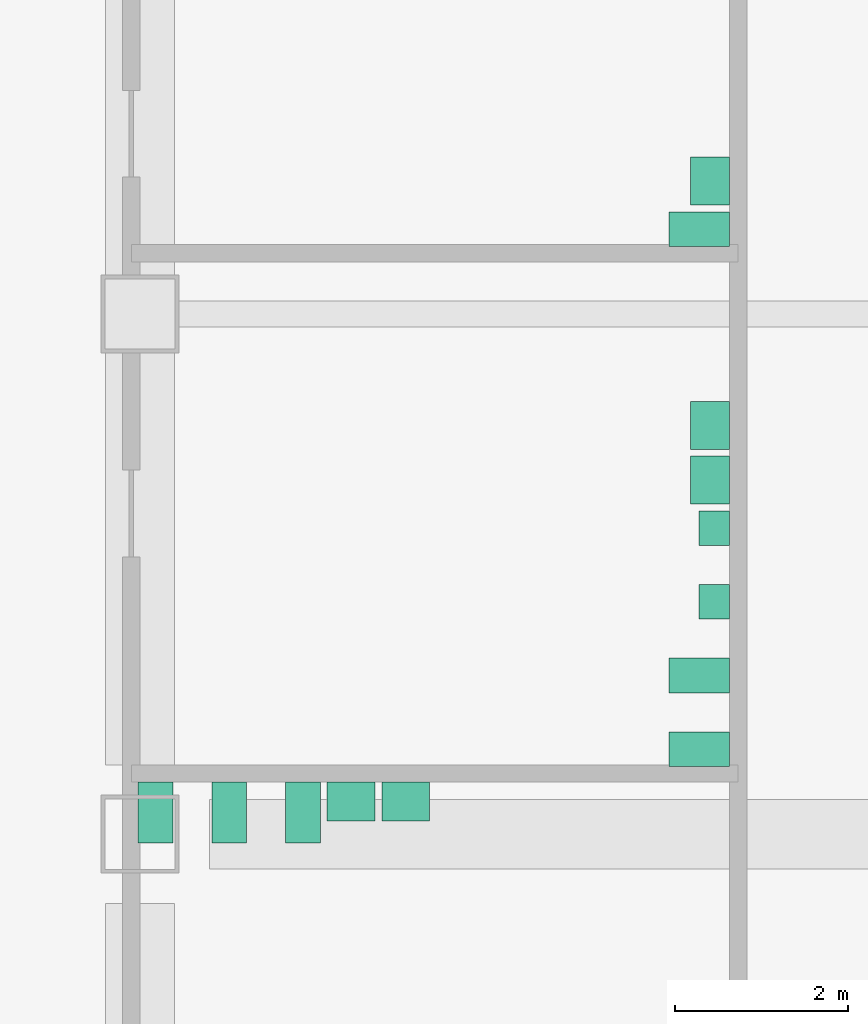
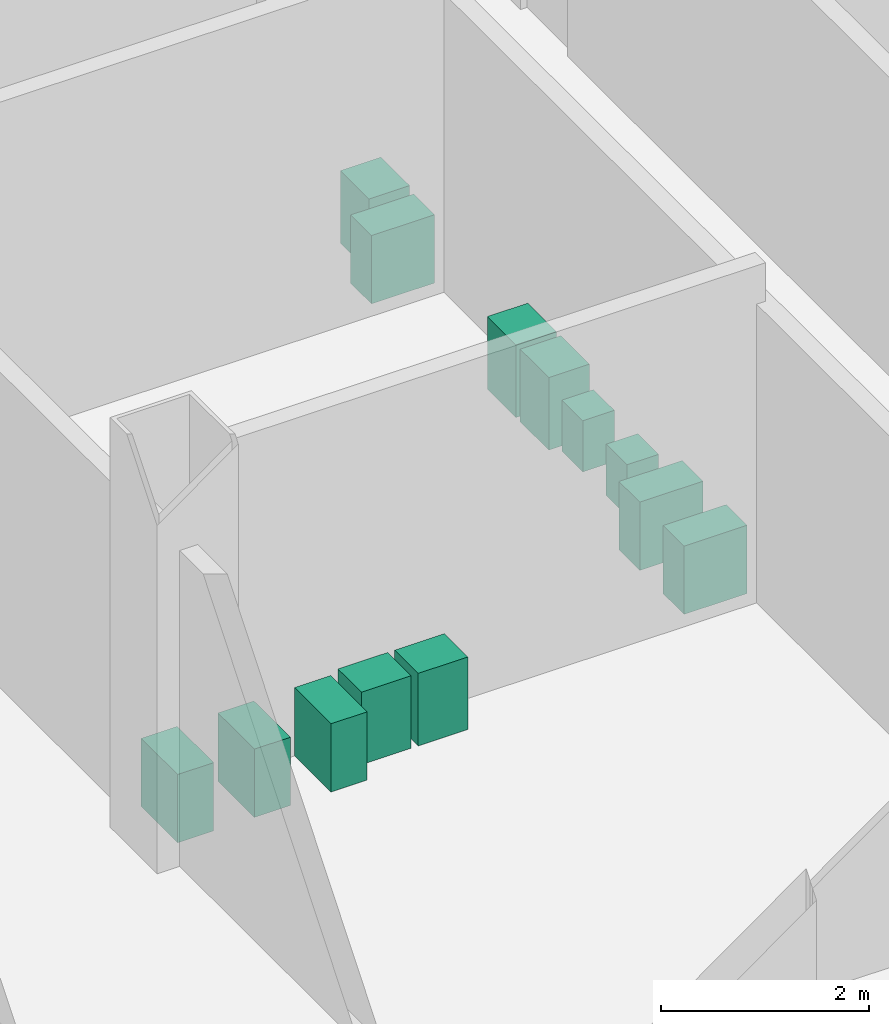
# One storey, part 34 of 34: 13 sanitary terminals.
"""IFC4 building model written with IfcOpenShell, lengths in metres."""

from ifc_helpers import new_model, si_unit, direction, frame, origin, origin_2d, place, context, subcontext, project, spatial, rectangle, extrude, element, save


model = new_model("IFC4")

# Units and contexts
model_context = context("Model", 3, precision=1e-05, world=origin(), true_north=direction((0.0, 1.0)))
body_context = subcontext(model_context, "Body", "Model", "MODEL_VIEW")
ifc_project = project(units=[si_unit("LENGTHUNIT", "METRE"), si_unit("AREAUNIT", "SQUARE_METRE"), si_unit("VOLUMEUNIT", "CUBIC_METRE"), si_unit("PLANEANGLEUNIT", "RADIAN"), si_unit("MASSUNIT", "GRAM", prefix="KILO")], contexts=[model_context])

# Site, building, storey
site_placement = place(None, origin())
site = spatial("IfcSite", under=ifc_project, at=site_placement, CompositionType="ELEMENT")
building_placement = place(site_placement, origin())
building = spatial("IfcBuilding", under=site, at=building_placement, Name="Sorahane Residences", CompositionType="ELEMENT")
storey_placement = place(building_placement, frame((0.0, 0.0, 20.39990234375)))
storey = spatial("IfcBuildingStorey", under=building, at=storey_placement, Name="L02", CompositionType="ELEMENT", Elevation=20.39990234375)

# Sanitary terminals
for number, where, z_axis, x_axis, name in (
    (1, (48.179931640625, 24.25, 0.0), (0.0, 0.0, 1.0), (1.0, 0.0, 0.0), "WC pan Women's toilets 02"),
    (2, (49.030029296875, 24.25, 0.0), (0.0, 0.0, 1.0), (1.0, 0.0, 0.0), "WC pan Women's toilets 02"),
    (3, (49.8798828125, 24.25, 0.0), (0.0, 0.0, 1.0), (1.0, 0.0, 0.0), "WC pan Women's toilets 02"),
):
    element("IfcSanitaryTerminal", number, at=place(storey_placement, frame(where, z_axis=z_axis, x_axis=x_axis)), inside=storey, Name=name, PredefinedType="TOILETPAN", context=body_context, shape_type="SweptSolid", body=[
        extrude(rectangle(XDim=0.39990234375, YDim=0.699951171875, at=origin_2d()), origin(), (0.0, 0.0, 1.0), 0.800048828125),
    ])
for number, where, z_axis, x_axis, name in (
    (4, (50.43505859375, 24.375, 0.0), (0.0, 0.0, 1.0), (1.0, 0.0, 0.0), "Wash basin Women's toilets 02"),
    (5, (51.06494140625, 24.375, 0.0), (0.0, 0.0, 1.0), (1.0, 0.0, 0.0), "Wash basin Women's toilets 02"),
):
    element("IfcSanitaryTerminal", number, at=place(storey_placement, frame(where, z_axis=z_axis, x_axis=x_axis)), inside=storey, Name=name, PredefinedType="WASHHANDBASIN", context=body_context, shape_type="SweptSolid", body=[
        extrude(rectangle(XDim=0.550048828125, YDim=0.449951171875, at=origin_2d()), origin(), (0.0, 0.0, 1.0), 0.85009765625),
    ])
for number, where, z_axis, x_axis, name in (
    (6, (54.449951171875, 24.97998046875, 0.0), (0.0, 0.0, 1.0), (0.0, -1.0, 0.0), "WC pan Men's toilets 02"),
    (7, (54.449951171875, 25.830078125, 0.0), (0.0, 0.0, 1.0), (0.0, -1.0, 0.0), "WC pan Men's toilets 02"),
):
    element("IfcSanitaryTerminal", number, at=place(storey_placement, frame(where, z_axis=z_axis, x_axis=x_axis)), inside=storey, Name=name, PredefinedType="TOILETPAN", context=body_context, shape_type="SweptSolid", body=[
        extrude(rectangle(XDim=0.39990234375, YDim=0.699951171875, at=origin_2d()), origin(), (0.0, 0.0, 1.0), 0.800048828125),
    ])
for number, where, z_axis, x_axis, name in (
    (8, (54.625, 26.679931640625, 0.0), (0.0, 0.0, 1.0), (0.0, -1.0, 0.0), "Urinal Men's toilets 02"),
    (9, (54.625, 27.530029296875, 0.0), (0.0, 0.0, 1.0), (0.0, -1.0, 0.0), "Urinal Men's toilets 02"),
):
    element("IfcSanitaryTerminal", number, at=place(storey_placement, frame(where, z_axis=z_axis, x_axis=x_axis)), inside=storey, Name=name, PredefinedType="URINAL", context=body_context, shape_type="SweptSolid", body=[
        extrude(rectangle(XDim=0.39990234375, YDim=0.35009765625, at=origin_2d()), origin(), (0.0, 0.0, 1.0), 0.60009765625),
    ])
for number, where, z_axis, x_axis, name in (
    (10, (54.574951171875, 28.0849609375, 0.0), (0.0, 0.0, 1.0), (0.0, -1.0, 0.0), "Wash basin Men's toilets 02"),
    (11, (54.574951171875, 28.715087890625, 0.0), (0.0, 0.0, 1.0), (0.0, -1.0, 0.0), "Wash basin Men's toilets 02"),
):
    element("IfcSanitaryTerminal", number, at=place(storey_placement, frame(where, z_axis=z_axis, x_axis=x_axis)), inside=storey, Name=name, PredefinedType="WASHHANDBASIN", context=body_context, shape_type="SweptSolid", body=[
        extrude(rectangle(XDim=0.550048828125, YDim=0.449951171875, at=origin_2d()), origin(), (0.0, 0.0, 1.0), 0.85009765625),
    ])
sanitary_terminal_1_placement = place(storey_placement, frame((54.449951171875, 30.97998046875, 0.0), z_axis=(0.0, 0.0, 1.0), x_axis=(0.0, -1.0, 0.0)))
element("IfcSanitaryTerminal", 12, at=sanitary_terminal_1_placement, inside=storey, Name="WC pan Accessible toilets 02", PredefinedType="TOILETPAN", context=body_context, shape_type="SweptSolid", body=[
    extrude(rectangle(XDim=0.39990234375, YDim=0.699951171875, at=origin_2d()), origin(), (0.0, 0.0, 1.0), 0.800048828125),
])
sanitary_terminal_2_placement = place(storey_placement, frame((54.574951171875, 31.534912109375, 0.0), z_axis=(0.0, 0.0, 1.0), x_axis=(0.0, -1.0, 0.0)))
element("IfcSanitaryTerminal", 13, at=sanitary_terminal_2_placement, inside=storey, Name="Wash basin Accessible toilets 02", PredefinedType="WASHHANDBASIN", context=body_context, shape_type="SweptSolid", body=[
    extrude(rectangle(XDim=0.550048828125, YDim=0.449951171875, at=origin_2d()), origin(), (0.0, 0.0, 1.0), 0.85009765625),
])

save(model, "model.ifc")
